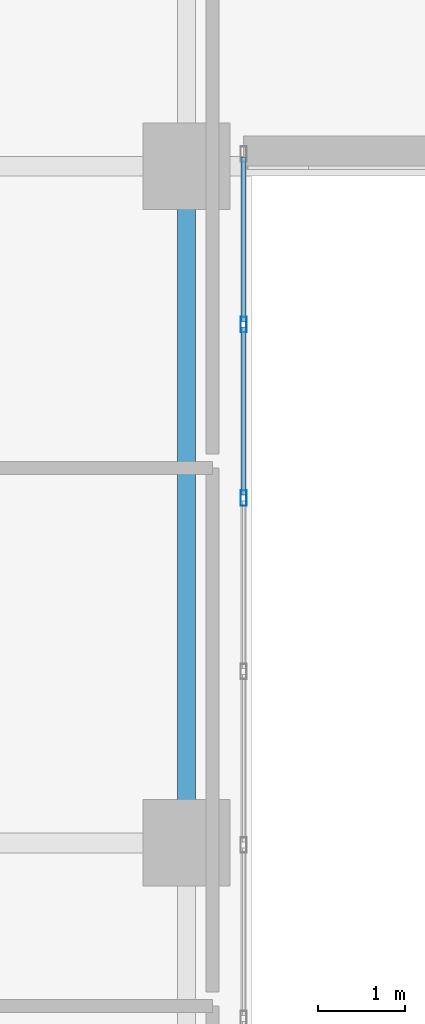
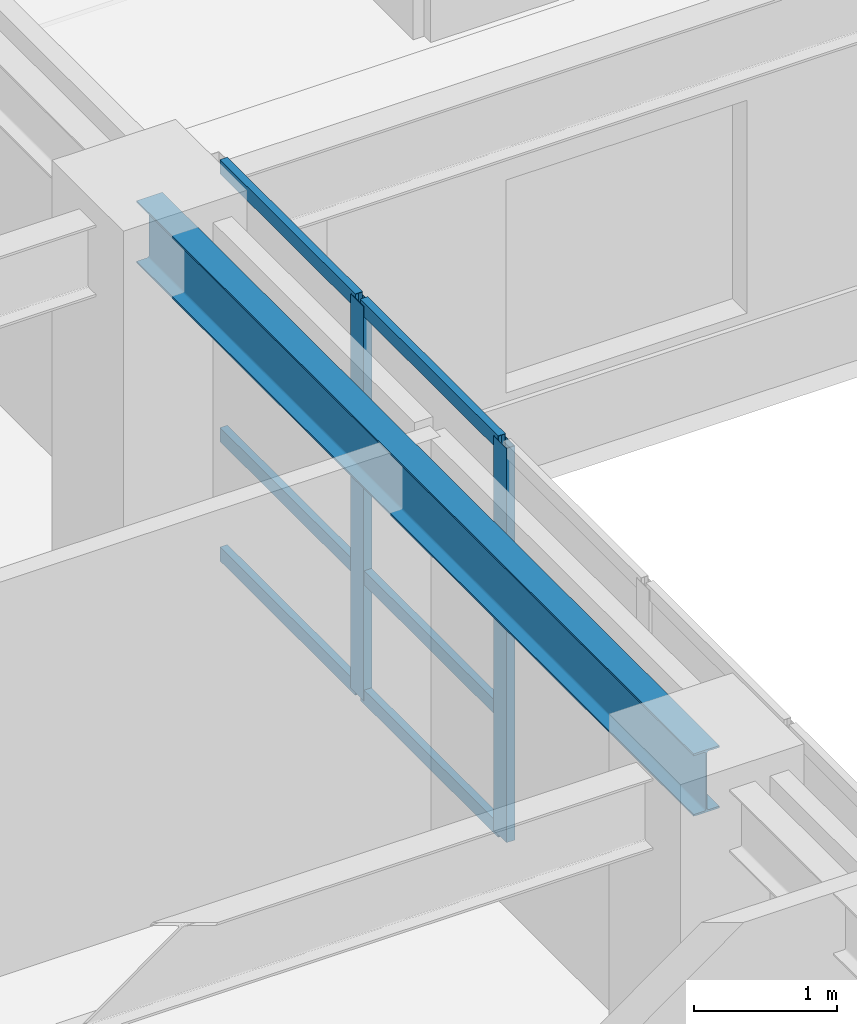
# One storey, part 3 of 24: 8 members, 1 beam, 1 element without a shape of its own.
"""IFC4 building model written with IfcOpenShell, lengths in metres."""

from ifc_helpers import new_model, si_unit, direction, frame, origin, origin_2d, place, context, subcontext, project, spatial, hollow_rectangle, i_section, extrude, source, transform, mapped, material, layer, layer_set, material_profile, profile_set, type_object, type_shapes, element, aggregate, save


model = new_model("IFC4")

# Units and contexts
model_context = context("Model", 3, precision=1e-05, world=origin(), true_north=direction((0.0, 1.0)))
body_context = subcontext(model_context, "Body", "Model", "MODEL_VIEW")
ifc_project = project(units=[si_unit("LENGTHUNIT", "METRE"), si_unit("AREAUNIT", "SQUARE_METRE"), si_unit("VOLUMEUNIT", "CUBIC_METRE"), si_unit("PLANEANGLEUNIT", "RADIAN"), si_unit("MASSUNIT", "GRAM", prefix="KILO")], contexts=[model_context])

# Site, building, storey
site_placement = place(None, origin())
site = spatial("IfcSite", under=ifc_project, at=site_placement, CompositionType="ELEMENT")
building_placement = place(site_placement, origin())
building = spatial("IfcBuilding", under=site, at=building_placement, Name="Tolvann Quenvar Hotel", CompositionType="ELEMENT")
storey_placement = place(building_placement, frame((0.0, 0.0, 67.5)))
storey = spatial("IfcBuildingStorey", under=building, at=storey_placement, Name="L16", CompositionType="ELEMENT", Elevation=67.5)

# Beam
ifc_material_1 = material(Name="Steel Grade 350", Category="steel")
ifc_material_profile_1 = material_profile(ifc_material_1, i_section(OverallWidth=0.208984375, OverallDepth=0.532958984375, WebThickness=0.01025390625, FlangeThickness=0.015625, FilletRadius=0.013916015625, at=origin_2d()), Name="530UB92")
ifc_profile_set_1 = profile_set([ifc_material_profile_1], Name="Steel Grade 350")
beam_type = type_object("IfcBeamType", Name="BM_GIRD_530UB92", PredefinedType="BEAM", material=ifc_profile_set_1)
shared_shape_1 = source(origin(), body_context, "Body", "SweptSolid", [
    extrude(i_section(OverallWidth=0.208984375, OverallDepth=0.532958984375, WebThickness=0.01025390625, FlangeThickness=0.015625, FilletRadius=0.013916015625, at=origin_2d()), origin(), (0.0, 0.0, 1.0), 7.800048828125),
])
type_shapes(beam_type, [shared_shape_1])
beam_placement = place(storey_placement, frame((22.050048828125, 8.199951171875, 3.103515625), z_axis=(0.0, 1.0, 0.0), x_axis=(-1.0, 0.0, 0.0)))
element("IfcBeam", 1, at=beam_placement, inside=storey, type_object=beam_type, Name="BM-L16-NS-E3-E4", PredefinedType="BEAM", context=body_context, shape_type="MappedRepresentation", body=[
    mapped(shared_shape_1, transform((0.0, 0.0, 0.0), x_axis=(1.0, 0.0, 0.0), y_axis=(0.0, 1.0, 0.0), z_axis=(0.0, 0.0, 1.0), scale=1.0)),
])

# Curtain wall, members
ifc_material_2 = material(Name="Thermally broken anodised architectural aluminium 6063-T6 and laminated low-E glass", Category="aluminium")
ifc_layer = layer(ifc_material_2, 0.179931640625)
ifc_layer_set = layer_set([ifc_layer], Name="Thermally broken anodised architectural aluminium 6063-T6 and laminated low-E glass")
curtain_wall_type = type_object("IfcCurtainWallType", Name="CW_SYS_SLOT_03", PredefinedType="USERDEFINED", material=ifc_layer_set)
curtain_wall_placement = place(storey_placement, origin())
curtain_wall = element("IfcCurtainWall", 2, at=curtain_wall_placement, inside=storey, type_object=curtain_wall_type, Name="Curtain Wall CW-SLOT-03 (CWR-L16-E05)", ObjectType="UNITISED CURTAIN WALL", PredefinedType="USERDEFINED")
ifc_material_3 = material(Name="Anodised architectural aluminium 6063-T6 framing", Category="aluminium")
ifc_material_profile_2 = material_profile(ifc_material_3, hollow_rectangle(XDim=0.070068359375, YDim=0.179931640625, WallThickness=0.00390625, at=origin_2d()), Name="180x70x4RHS")
ifc_profile_set_2 = profile_set([ifc_material_profile_2], Name="Anodised architectural aluminium 6063-T6 framing")
member_type_1 = type_object("IfcMemberType", Name="CW_MULL_180x70", PredefinedType="MULLION", material=ifc_profile_set_2)
shared_shape_2 = source(origin(), body_context, "Body", "SweptSolid", [
    extrude(hollow_rectangle(XDim=0.070068359375, YDim=0.179931640625, WallThickness=0.00390625, at=origin_2d()), origin(), (0.0, 0.0, 1.0), 3.3701171875),
])
type_shapes(member_type_1, [shared_shape_2])
member_1_placement = place(storey_placement, frame((22.7099609375, 12.175048828125, 0.0), z_axis=(0.0, 0.0, 1.0), x_axis=(-1.0, 0.0, 0.0)))
member_1 = element("IfcMember", 3, at=member_1_placement, type_object=member_type_1, Name="CW-SLOT-03 mullion 7", PredefinedType="MULLION", context=body_context, shape_type="MappedRepresentation", body=[
    mapped(shared_shape_2, transform((0.0, 0.0, 0.0), x_axis=(1.0, 0.0, 0.0), y_axis=(0.0, 1.0, 0.0), z_axis=(0.0, 0.0, 1.0), scale=1.0)),
])
member_2_placement = place(storey_placement, frame((22.7099609375, 14.175048828125, 0.0), z_axis=(0.0, 0.0, 1.0), x_axis=(-1.0, 0.0, 0.0)))
member_2 = element("IfcMember", 4, at=member_2_placement, type_object=member_type_1, Name="CW-SLOT-03 mullion 8", PredefinedType="MULLION", context=body_context, shape_type="MappedRepresentation", body=[
    mapped(shared_shape_2, transform((0.0, 0.0, 0.0), x_axis=(1.0, 0.0, 0.0), y_axis=(0.0, 1.0, 0.0), z_axis=(0.0, 0.0, 1.0), scale=1.0)),
])
ifc_material_profile_3 = material_profile(ifc_material_3, hollow_rectangle(XDim=0.06005859375, YDim=0.1201171875, WallThickness=0.00341796875, at=origin_2d()), Name="120x60x3.5RHS")
ifc_profile_set_3 = profile_set([ifc_material_profile_3], Name="Anodised architectural aluminium 6063-T6 framing")
member_type_2 = type_object("IfcMemberType", Name="CW_TRAN_120x60", PredefinedType="USERDEFINED", material=ifc_profile_set_3)
shared_shape_3 = source(origin(), body_context, "Body", "SweptSolid", [
    extrude(hollow_rectangle(XDim=0.06005859375, YDim=0.1201171875, WallThickness=0.00341796875, at=origin_2d()), origin(), (0.0, 0.0, 1.0), 1.929931640625),
])
member_3_placement = place(storey_placement, frame((22.7099609375, 12.2099609375, 0.030029296875), z_axis=(0.0, 1.0, 0.0), x_axis=(-1.0, 0.0, 0.0)))
member_3 = element("IfcMember", 5, at=member_3_placement, type_object=member_type_2, Name="CW-SLOT-03 transom 7.1", ObjectType="TRANSOM", PredefinedType="USERDEFINED", context=body_context, shape_type="MappedRepresentation", body=[
    mapped(shared_shape_3, transform((0.0, 0.0, 0.0), x_axis=(1.0, 0.0, 0.0), y_axis=(0.0, 1.0, 0.0), z_axis=(0.0, 0.0, 1.0), scale=1.0)),
])
member_4_placement = place(storey_placement, frame((22.7099609375, 12.2099609375, 1.050048828125), z_axis=(0.0, 1.0, 0.0), x_axis=(-1.0, 0.0, 0.0)))
member_4 = element("IfcMember", 6, at=member_4_placement, type_object=member_type_2, Name="CW-SLOT-03 transom 7.2", ObjectType="TRANSOM", PredefinedType="USERDEFINED", context=body_context, shape_type="MappedRepresentation", body=[
    mapped(shared_shape_3, transform((0.0, 0.0, 0.0), x_axis=(1.0, 0.0, 0.0), y_axis=(0.0, 1.0, 0.0), z_axis=(0.0, 0.0, 1.0), scale=1.0)),
])
member_5_placement = place(storey_placement, frame((22.7099609375, 12.2099609375, 3.340087890625), z_axis=(0.0, 1.0, 0.0), x_axis=(-1.0, 0.0, 0.0)))
member_5 = element("IfcMember", 7, at=member_5_placement, type_object=member_type_2, Name="CW-SLOT-03 transom 7.3", ObjectType="TRANSOM", PredefinedType="USERDEFINED", context=body_context, shape_type="MappedRepresentation", body=[
    mapped(shared_shape_3, transform((0.0, 0.0, 0.0), x_axis=(1.0, 0.0, 0.0), y_axis=(0.0, 1.0, 0.0), z_axis=(0.0, 0.0, 1.0), scale=1.0)),
])
shared_shape_4 = source(origin(), body_context, "Body", "SweptSolid", [
    extrude(hollow_rectangle(XDim=0.06005859375, YDim=0.1201171875, WallThickness=0.00341796875, at=origin_2d()), origin(), (0.0, 0.0, 1.0), 1.89501953125),
])
type_shapes(member_type_2, [shared_shape_3, shared_shape_4])
member_6_placement = place(storey_placement, frame((22.7099609375, 14.2099609375, 0.030029296875), z_axis=(0.0, 1.0, 0.0), x_axis=(-1.0, 0.0, 0.0)))
member_6 = element("IfcMember", 8, at=member_6_placement, type_object=member_type_2, Name="CW-SLOT-03 transom 8.1", ObjectType="TRANSOM", PredefinedType="USERDEFINED", context=body_context, shape_type="MappedRepresentation", body=[
    mapped(shared_shape_4, transform((0.0, 0.0, 0.0), x_axis=(1.0, 0.0, 0.0), y_axis=(0.0, 1.0, 0.0), z_axis=(0.0, 0.0, 1.0), scale=1.0)),
])
member_7_placement = place(storey_placement, frame((22.7099609375, 14.2099609375, 1.050048828125), z_axis=(0.0, 1.0, 0.0), x_axis=(-1.0, 0.0, 0.0)))
member_7 = element("IfcMember", 9, at=member_7_placement, type_object=member_type_2, Name="CW-SLOT-03 transom 8.2", ObjectType="TRANSOM", PredefinedType="USERDEFINED", context=body_context, shape_type="MappedRepresentation", body=[
    mapped(shared_shape_4, transform((0.0, 0.0, 0.0), x_axis=(1.0, 0.0, 0.0), y_axis=(0.0, 1.0, 0.0), z_axis=(0.0, 0.0, 1.0), scale=1.0)),
])
member_8_placement = place(storey_placement, frame((22.7099609375, 14.2099609375, 3.340087890625), z_axis=(0.0, 1.0, 0.0), x_axis=(-1.0, 0.0, 0.0)))
member_8 = element("IfcMember", 10, at=member_8_placement, type_object=member_type_2, Name="CW-SLOT-03 transom 8.3", ObjectType="TRANSOM", PredefinedType="USERDEFINED", context=body_context, shape_type="MappedRepresentation", body=[
    mapped(shared_shape_4, transform((0.0, 0.0, 0.0), x_axis=(1.0, 0.0, 0.0), y_axis=(0.0, 1.0, 0.0), z_axis=(0.0, 0.0, 1.0), scale=1.0)),
])
aggregate(curtain_wall, [member_1, member_2, member_3, member_4, member_5, member_6, member_7, member_8])

save(model, "model.ifc")
